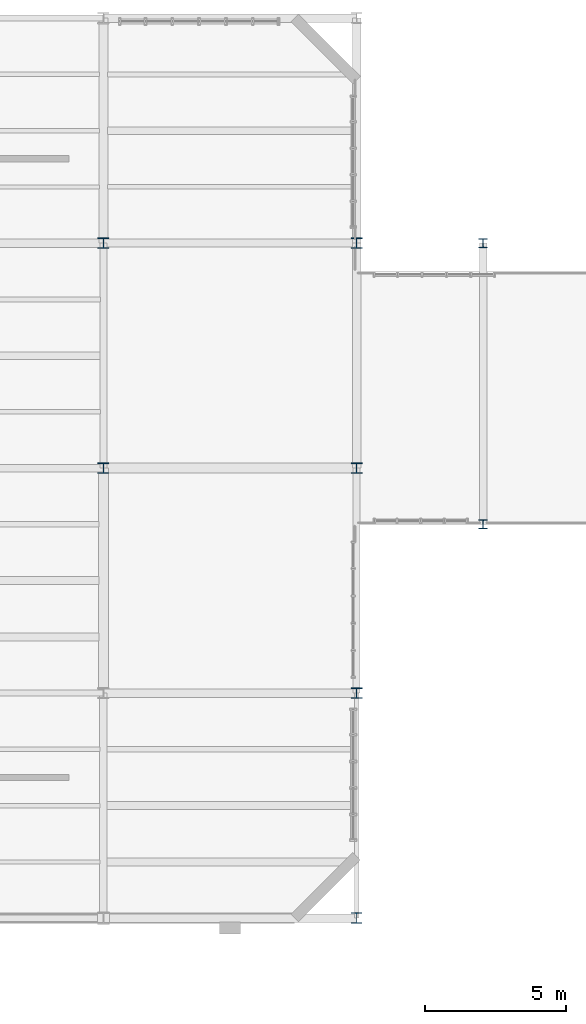
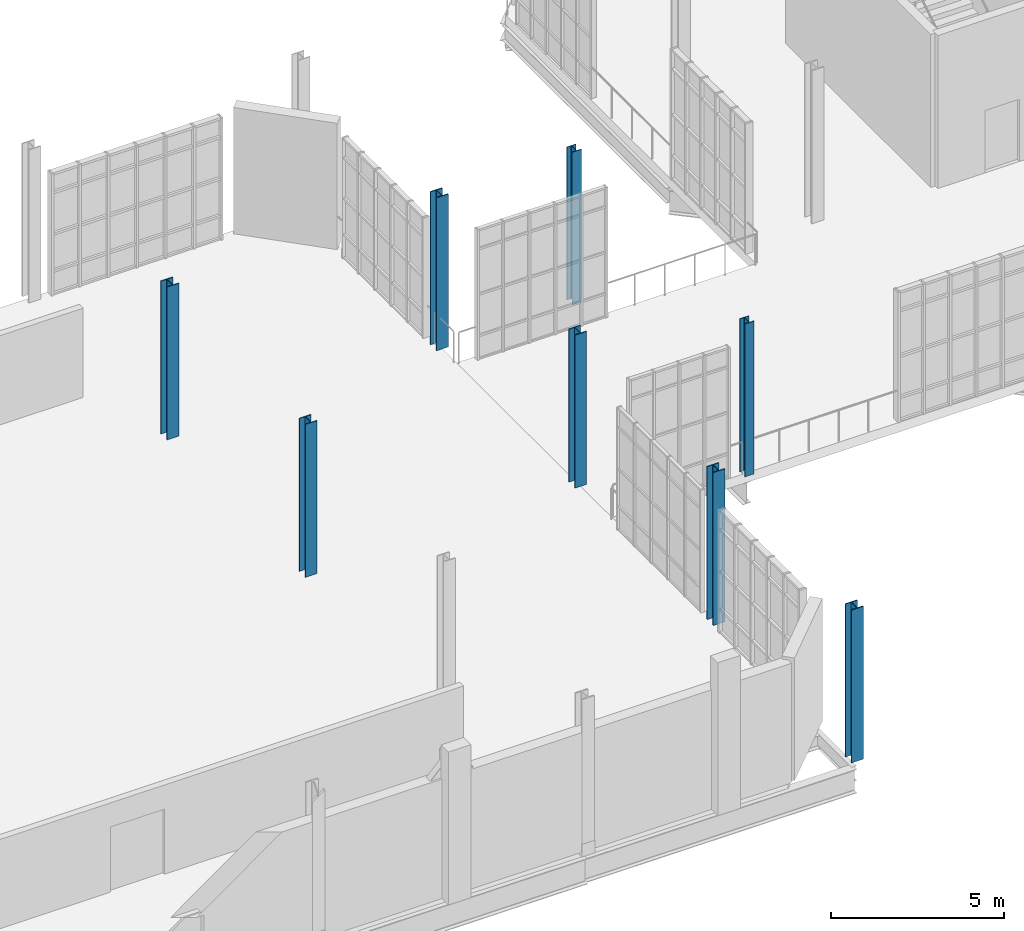
# One storey, part 2 of 189: 8 columns.
"""IFC4 building model written with IfcOpenShell, lengths in metres."""

from ifc_helpers import new_model, si_unit, direction, frame, origin, origin_2d, place, context, subcontext, project, spatial, i_section, extrude, material, material_profile, profile_set, type_object, element, save


model = new_model("IFC4")

# Units and contexts
model_context = context("Model", 3, precision=1e-05, world=origin(), true_north=direction((0.0, 1.0)))
body_context = subcontext(model_context, "Body", "Model", "MODEL_VIEW")
ifc_project = project(units=[si_unit("LENGTHUNIT", "METRE"), si_unit("AREAUNIT", "SQUARE_METRE"), si_unit("VOLUMEUNIT", "CUBIC_METRE"), si_unit("PLANEANGLEUNIT", "RADIAN"), si_unit("MASSUNIT", "GRAM", prefix="KILO"), si_unit("THERMODYNAMICTEMPERATUREUNIT", "KELVIN"), si_unit("POWERUNIT", "WATT")], contexts=[model_context])

# Site, building, storey
site_placement = place(None, origin())
site = spatial("IfcSite", under=ifc_project, at=site_placement, CompositionType="ELEMENT")
building_placement = place(site_placement, origin())
building = spatial("IfcBuilding", under=site, at=building_placement, Name="Zelmaris Science Centre", CompositionType="ELEMENT")
storey_placement = place(building_placement, origin())
storey = spatial("IfcBuildingStorey", under=building, at=storey_placement, Name="L00", CompositionType="ELEMENT", Elevation=0.0)

# Columns
ifc_material = material(Name="Steel ASTM A992 Grade 50", Category="steel")
ifc_material_profile_1 = material_profile(ifc_material, i_section(OverallWidth=0.39892578125, OverallDepth=0.385986328125, WebThickness=0.02099609375, FlangeThickness=0.033203125, FilletRadius=0.014892578125, at=origin_2d()), Name="W14X176")
ifc_profile_set_1 = profile_set([ifc_material_profile_1], Name="Steel ASTM A992 Grade 50")
column_type_1 = type_object("IfcColumnType", Name="Column C-04 W14X176", PredefinedType="COLUMN", material=ifc_profile_set_1)
column_placement = place(storey_placement, frame((54.0, 8.0, 0.0), z_axis=(0.0, 0.0, 1.0), x_axis=(1.0, 0.0, 0.0)))
element("IfcColumn", 1, at=column_placement, inside=storey, type_object=column_type_1, Name="Column V3-P-54-8 L00", PredefinedType="COLUMN", context=body_context, shape_type="SweptSolid", body=[
    extrude(i_section(OverallWidth=0.39892578125, OverallDepth=0.385986328125, WebThickness=0.02099609375, FlangeThickness=0.033203125, FilletRadius=0.014892578125, at=origin_2d()), origin(), (0.0, 0.0, 1.0), 5.39990234375),
])
ifc_material_profile_2 = material_profile(ifc_material, i_section(OverallWidth=0.39404296875, OverallDepth=0.3759765625, WebThickness=0.017333984375, FlangeThickness=0.027587890625, FilletRadius=0.014892578125, at=origin_2d()), Name="W14X145")
ifc_profile_set_2 = profile_set([ifc_material_profile_2], Name="Steel ASTM A992 Grade 50")
column_type_2 = type_object("IfcColumnType", Name="Column C-05 W14X145", PredefinedType="COLUMN", material=ifc_profile_set_2)
for number, where, z_axis, x_axis, name in (
    (2, (45.0, 24.0, 0.0), (0.0, 0.0, 1.0), (1.0, 0.0, 0.0), "Column V3-F-45-24 L00"),
    (3, (45.0, 32.0, 0.0), (0.0, 0.0, 1.0), (1.0, 0.0, 0.0), "Column V3-F-45-32 L00"),
    (4, (54.0, 16.0, 0.0), (0.0, 0.0, 1.0), (1.0, 0.0, 0.0), "Column V3-F-54-16 L00"),
    (5, (54.0, 24.0, 0.0), (0.0, 0.0, 1.0), (1.0, 0.0, 0.0), "Column V3-F-54-24 L00"),
    (6, (54.0, 32.0, 0.0), (0.0, 0.0, 1.0), (1.0, 0.0, 0.0), "Column V3-F-54-32 L00"),
):
    element("IfcColumn", number, at=place(storey_placement, frame(where, z_axis=z_axis, x_axis=x_axis)), inside=storey, type_object=column_type_2, Name=name, PredefinedType="COLUMN", context=body_context, shape_type="SweptSolid", body=[
        extrude(i_section(OverallWidth=0.39404296875, OverallDepth=0.3759765625, WebThickness=0.017333984375, FlangeThickness=0.027587890625, FilletRadius=0.014892578125, at=origin_2d()), origin(), (0.0, 0.0, 1.0), 5.39990234375),
    ])
ifc_material_profile_3 = material_profile(ifc_material, i_section(OverallWidth=0.306884765625, OverallDepth=0.31494140625, WebThickness=0.011962890625, FlangeThickness=0.018798828125, FilletRadius=0.012939453125, at=origin_2d()), Name="W12X79")
ifc_profile_set_3 = profile_set([ifc_material_profile_3], Name="Steel ASTM A992 Grade 50")
column_type_3 = type_object("IfcColumnType", Name="Column C-08 W12X79", PredefinedType="COLUMN", material=ifc_profile_set_3)
for number, where, z_axis, x_axis, name in (
    (7, (58.5, 22.0, 0.0), (0.0, 0.0, 1.0), (1.0, 0.0, 0.0), "Column LK-W-22 L00"),
    (8, (58.5, 32.0, 0.0), (0.0, 0.0, 1.0), (1.0, 0.0, 0.0), "Column LK-W-32 L00"),
):
    element("IfcColumn", number, at=place(storey_placement, frame(where, z_axis=z_axis, x_axis=x_axis)), inside=storey, type_object=column_type_3, Name=name, PredefinedType="COLUMN", context=body_context, shape_type="SweptSolid", body=[
        extrude(i_section(OverallWidth=0.306884765625, OverallDepth=0.31494140625, WebThickness=0.011962890625, FlangeThickness=0.018798828125, FilletRadius=0.012939453125, at=origin_2d()), origin(), (0.0, 0.0, 1.0), 5.39990234375),
    ])

save(model, "model.ifc")
